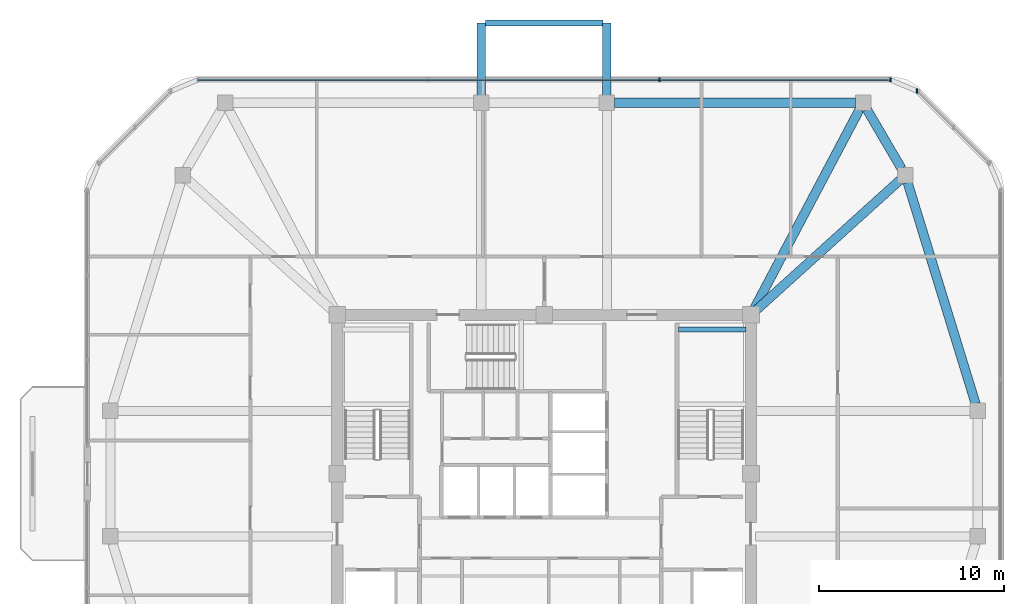
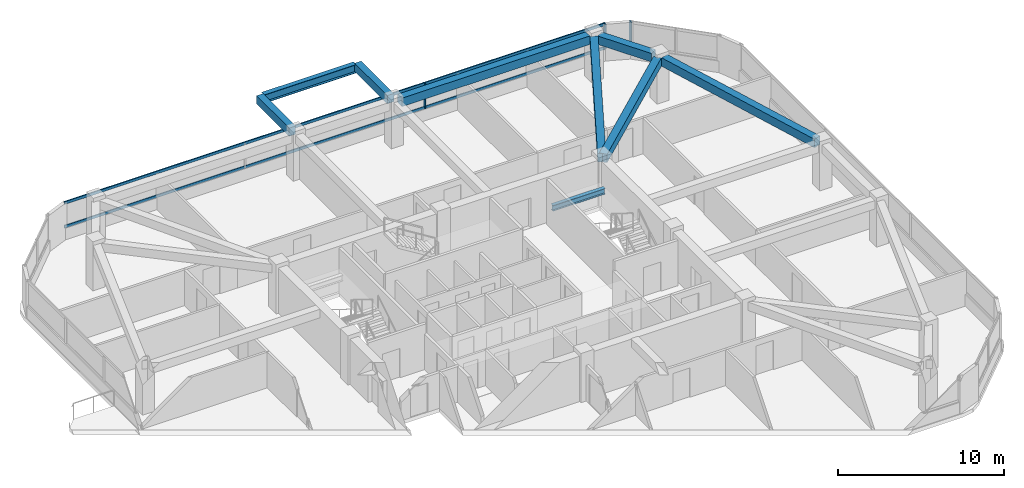
# One storey, part 5 of 13: 9 beams, 5 members, 2 elements without a shape of their own.
"""IFC4 building model written with IfcOpenShell, lengths in metres."""

from ifc_helpers import new_model, si_unit, derived_unit, direction, frame, origin, origin_2d, place, context, subcontext, project, spatial, rectangle, i_section, extrude, material, material_profile, profile_set, type_object, element, aggregate, save


model = new_model("IFC4")

# Units and contexts
model_context = context("Model", 3, precision=1e-05, world=origin(), true_north=direction((0.0, 1.0)))
body_context = subcontext(model_context, "Body", "Model", "MODEL_VIEW")
ifc_project = project(units=[si_unit("LENGTHUNIT", "METRE"), si_unit("AREAUNIT", "SQUARE_METRE"), si_unit("VOLUMEUNIT", "CUBIC_METRE"), si_unit("PLANEANGLEUNIT", "RADIAN"), si_unit("MASSUNIT", "GRAM", prefix="KILO"), derived_unit("THERMALTRANSMITTANCEUNIT", [(si_unit("POWERUNIT", "WATT"), 1), (si_unit("LENGTHUNIT", "METRE"), -2), (si_unit("THERMODYNAMICTEMPERATUREUNIT", "KELVIN"), -1)])], contexts=[model_context])

# Site, building, storey
site_placement = place(None, origin())
site = spatial("IfcSite", under=ifc_project, at=site_placement, CompositionType="ELEMENT")
building_placement = place(site_placement, origin())
building = spatial("IfcBuilding", under=site, at=building_placement, Name="Koralith Skygarden Medical Center", CompositionType="ELEMENT")
storey_placement = place(building_placement, frame((0.0, 0.0, 250.02001953125)))
storey = spatial("IfcBuildingStorey", under=building, at=storey_placement, Name="L64", CompositionType="ELEMENT", Elevation=250.02001953125)

# Curtain wall, member
ifc_material_1 = material(Name="Clear Laminated Glass", Category="glass")
curtain_wall_type = type_object("IfcCurtainWallType", Name="CW-6 Zone 5 Upper Clinical Curtain Wall", PredefinedType="NOTDEFINED", material=ifc_material_1)
curtain_wall_1_placement = place(storey_placement, origin())
curtain_wall_1 = element("IfcCurtainWall", 1, at=curtain_wall_1_placement, inside=storey, type_object=curtain_wall_type, Name="Curtain Wall CW-L64-NE", PredefinedType="NOTDEFINED")
ifc_material_2 = material(Name="Aluminium 6063-T6", Category="aluminium")
ifc_material_profile_1 = material_profile(ifc_material_2, rectangle(XDim=0.0830078125, YDim=0.219970703125, at=origin_2d()), Name="MUL83X220")
ifc_profile_set_1 = profile_set([ifc_material_profile_1], Name="Aluminium 6063-T6")
member_type_1 = type_object("IfcMemberType", Name="CW-6 Extruded Mullion 83x220", PredefinedType="MULLION", material=ifc_profile_set_1)
member_1_placement = place(storey_placement, frame((57.196044921875, 46.618896484375, 0.85009765625), z_axis=(0.0, 0.0, 1.0), x_axis=(1.0, 0.0, 0.0)))
member_1 = element("IfcMember", 2, at=member_1_placement, type_object=member_type_1, Name="CW-L64-NE Mullion 3", PredefinedType="MULLION", context=body_context, shape_type="SweptSolid", body=[
    extrude(rectangle(XDim=0.0830078125, YDim=0.219970703125, at=origin_2d()), origin(), (0.0, 0.0, 1.0), 1.83984375),
])
aggregate(curtain_wall_1, [member_1])

# Curtain wall, members
curtain_wall_2_placement = place(storey_placement, origin())
curtain_wall_2 = element("IfcCurtainWall", 3, at=curtain_wall_2_placement, inside=storey, type_object=curtain_wall_type, Name="Curtain Wall CW-L64-N", PredefinedType="NOTDEFINED")
member_2_placement = place(storey_placement, frame((55.7451171875, 47.219970703125, 0.85009765625), z_axis=(0.0, 0.0, 1.0), x_axis=(1.0, 0.0, 0.0)))
member_2 = element("IfcMember", 4, at=member_2_placement, type_object=member_type_1, Name="CW-L64-N Mullion 1", PredefinedType="MULLION", context=body_context, shape_type="SweptSolid", body=[
    extrude(rectangle(XDim=0.0830078125, YDim=0.219970703125, at=origin_2d()), origin(), (0.0, 0.0, 1.0), 1.83984375),
])
member_3_placement = place(storey_placement, frame((43.248046875, 47.219970703125, 0.85009765625), z_axis=(0.0, 0.0, 1.0), x_axis=(1.0, 0.0, 0.0)))
member_3 = element("IfcMember", 5, at=member_3_placement, type_object=member_type_1, Name="CW-L64-N Mullion 2", PredefinedType="MULLION", context=body_context, shape_type="SweptSolid", body=[
    extrude(rectangle(XDim=0.0830078125, YDim=0.219970703125, at=origin_2d()), origin(), (0.0, 0.0, 1.0), 1.83984375),
])
ifc_material_profile_2 = material_profile(ifc_material_2, rectangle(XDim=0.077880859375, YDim=0.197998046875, at=origin_2d()), Name="TRN78X198")
ifc_profile_set_2 = profile_set([ifc_material_profile_2], Name="Aluminium 6063-T6")
member_type_2 = type_object("IfcMemberType", Name="CW-6 Thermal Transom 78x198", PredefinedType="USERDEFINED", material=ifc_profile_set_2)
member_4_placement = place(storey_placement, frame((55.7451171875, 47.219970703125, 0.89990234375), z_axis=(-1.0, 0.0, 0.0), x_axis=(0.0, -1.0, 0.0)))
member_4 = element("IfcMember", 6, at=member_4_placement, type_object=member_type_2, Name="CW-L64-N Transom 1", ObjectType="TRANSOM", PredefinedType="USERDEFINED", context=body_context, shape_type="SweptSolid", body=[
    extrude(rectangle(XDim=0.077880859375, YDim=0.197998046875, at=origin_2d()), origin(), (0.0, 0.0, 1.0), 37.490234375),
])
member_5_placement = place(storey_placement, frame((55.7451171875, 47.219970703125, 2.639892578125), z_axis=(-1.0, 0.0, 0.0), x_axis=(0.0, -1.0, 0.0)))
member_5 = element("IfcMember", 7, at=member_5_placement, type_object=member_type_2, Name="CW-L64-N Transom 2", ObjectType="TRANSOM", PredefinedType="USERDEFINED", context=body_context, shape_type="SweptSolid", body=[
    extrude(rectangle(XDim=0.077880859375, YDim=0.197998046875, at=origin_2d()), origin(), (0.0, 0.0, 1.0), 37.490234375),
])
aggregate(curtain_wall_2, [member_2, member_3, member_4, member_5])

# Beams
ifc_material_3 = material(Name="Steel ASTM A992 Grade 50", Category="steel")
ifc_material_profile_3 = material_profile(ifc_material_3, i_section(OverallWidth=0.326904296875, OverallDepth=0.6220703125, WebThickness=0.015380859375, FlangeThickness=0.0244140625, at=origin_2d()), Name="W24X131")
ifc_profile_set_3 = profile_set([ifc_material_profile_3], Name="Steel ASTM A992 Grade 50")
beam_type_1 = type_object("IfcBeamType", Name="Cantilever Tie Beam W24X131", PredefinedType="BEAM", material=ifc_profile_set_3)
beam_1_placement = place(storey_placement, frame((33.820068359375, 50.300048828125, 3.029052734375), z_axis=(1.0, 0.0, 0.0), x_axis=(0.0, 1.0, 0.0)))
element("IfcBeam", 8, at=beam_1_placement, inside=storey, type_object=beam_type_1, Name="L65 N Balcony Tip Tie Beam", PredefinedType="BEAM", context=body_context, shape_type="SweptSolid", body=[
    extrude(i_section(OverallWidth=0.326904296875, OverallDepth=0.6220703125, WebThickness=0.015380859375, FlangeThickness=0.0244140625, at=origin_2d()), origin(), (0.0, 0.0, 1.0), 6.35986328125),
])
ifc_material_profile_4 = material_profile(ifc_material_3, i_section(OverallWidth=0.260009765625, OverallDepth=0.4150390625, WebThickness=0.010009765625, FlangeThickness=0.016845703125, at=origin_2d()), Name="W16X67")
ifc_profile_set_4 = profile_set([ifc_material_profile_4], Name="Steel ASTM A992 Grade 50")
beam_type_2 = type_object("IfcBeamType", Name="Clinical Floor Joist W16X67", PredefinedType="JOIST", material=ifc_profile_set_4)
beam_2_placement = place(storey_placement, frame((44.280029296875, 33.699951171875, 1.39208984375), z_axis=(1.0, 0.0, 0.0), x_axis=(0.0, 1.0, 0.0)))
element("IfcBeam", 9, at=beam_2_placement, inside=storey, type_object=beam_type_2, Name="L64 Stair ST2 Half-Landing Support Beam 1B", PredefinedType="JOIST", context=body_context, shape_type="SweptSolid", body=[
    extrude(i_section(OverallWidth=0.260009765625, OverallDepth=0.4150390625, WebThickness=0.010009765625, FlangeThickness=0.016845703125, at=origin_2d()), origin(), (0.0, 0.0, 1.0), 3.639892578125),
])
ifc_material_4 = material(Name="Concrete C45/55", Category="concrete")
ifc_material_profile_5 = material_profile(ifc_material_4, rectangle(XDim=0.449951171875, YDim=0.60009765625, at=origin_2d()), Name="RCB450X600")
ifc_profile_set_5 = profile_set([ifc_material_profile_5], Name="Concrete C45/55")
beam_type_3 = type_object("IfcBeamType", Name="Planted Balcony Cantilever Beam RCB450X600", PredefinedType="BEAM", material=ifc_profile_set_5)
for number, where, z_axis, x_axis, name in (
    (10, (33.60009765625, 46.3798828125, 3.0400390625), (0.0, 1.0, 0.0), (-1.0, 0.0, 0.0), "L65 N Balcony Cantilever Beam A"),
    (11, (40.39990234375, 46.3798828125, 3.0400390625), (0.0, 1.0, 0.0), (-1.0, 0.0, 0.0), "L65 N Balcony Cantilever Beam B"),
):
    element("IfcBeam", number, at=place(storey_placement, frame(where, z_axis=z_axis, x_axis=x_axis)), inside=storey, type_object=beam_type_3, Name=name, PredefinedType="BEAM", context=body_context, shape_type="SweptSolid", body=[
        extrude(rectangle(XDim=0.449951171875, YDim=0.60009765625, at=origin_2d()), origin(), (0.0, 0.0, 1.0), 3.920166015625),
    ])
ifc_material_profile_6 = material_profile(ifc_material_4, rectangle(XDim=0.5, YDim=0.6201171875, at=origin_2d()), Name="RCB500X620")
ifc_profile_set_6 = profile_set([ifc_material_profile_6], Name="Concrete C45/55")
beam_type_4 = type_object("IfcBeamType", Name="Upper Radial Collector Beam RCB500X620", PredefinedType="BEAM", material=ifc_profile_set_6)
beam_3_placement = place(storey_placement, frame((48.385009765625, 34.66796875, 3.010009765625), z_axis=(0.741747768548, 0.670678945438, 0.0), x_axis=(-0.670678945438, 0.741747768548, 0.0)))
element("IfcBeam", 12, at=beam_3_placement, inside=storey, type_object=beam_type_4, Name="L64 Radial Collector Beam RB-10", PredefinedType="BEAM", context=body_context, shape_type="SweptSolid", body=[
    extrude(rectangle(XDim=0.5, YDim=0.6201171875, at=origin_2d()), origin(), (0.0, 0.0, 1.0), 10.611572265625),
])
beam_4_placement = place(storey_placement, frame((48.31689453125, 34.720947265625, 3.010009765625), z_axis=(0.467256895772, 0.884121594213, 0.0), x_axis=(-0.884121594213, 0.467256895772, 0.0)))
element("IfcBeam", 13, at=beam_4_placement, inside=storey, type_object=beam_type_4, Name="L64 Radial Collector Beam RB-11", PredefinedType="BEAM", context=body_context, shape_type="SweptSolid", body=[
    extrude(rectangle(XDim=0.5, YDim=0.6201171875, at=origin_2d()), origin(), (0.0, 0.0, 1.0), 12.3251953125),
])
ifc_material_profile_7 = material_profile(ifc_material_4, rectangle(XDim=0.5, YDim=0.6201171875, at=origin_2d()), Name="RCB500X620")
ifc_profile_set_7 = profile_set([ifc_material_profile_7], Name="Concrete C45/55")
beam_type_5 = type_object("IfcBeamType", Name="Zone 4-5 Spandrel Beam RCB500X620", PredefinedType="SPANDREL", material=ifc_profile_set_7)
beam_5_placement = place(storey_placement, frame((60.360107421875, 29.69189453125, 3.010009765625), z_axis=(-0.293738023424, 0.955885962652, 0.0), x_axis=(-0.955885962652, -0.293738023424, 0.0)))
element("IfcBeam", 14, at=beam_5_placement, inside=storey, type_object=beam_type_5, Name="L64 Perimeter Spandrel Beam SP-09", PredefinedType="SPANDREL", context=body_context, shape_type="SweptSolid", body=[
    extrude(rectangle(XDim=0.5, YDim=0.6201171875, at=origin_2d()), origin(), (0.0, 0.0, 1.0), 12.52880859375),
])
beam_6_placement = place(storey_placement, frame((56.35302734375, 42.4140625, 3.010009765625), z_axis=(-0.50473571007, 0.863273921175, 0.0), x_axis=(-0.863273921175, -0.50473571007, 0.0)))
element("IfcBeam", 15, at=beam_6_placement, inside=storey, type_object=beam_type_5, Name="L64 Perimeter Spandrel Beam SP-10", PredefinedType="SPANDREL", context=body_context, shape_type="SweptSolid", body=[
    extrude(rectangle(XDim=0.5, YDim=0.6201171875, at=origin_2d()), origin(), (0.0, 0.0, 1.0), 3.720703125),
])
beam_7_placement = place(storey_placement, frame((53.85791015625, 45.97998046875, 3.010009765625), z_axis=(-1.0, 0.0, 0.0), x_axis=(0.0, -1.0, 0.0)))
element("IfcBeam", 16, at=beam_7_placement, inside=storey, type_object=beam_type_5, Name="L64 Perimeter Spandrel Beam SP-11", PredefinedType="SPANDREL", context=body_context, shape_type="SweptSolid", body=[
    extrude(rectangle(XDim=0.5, YDim=0.6201171875, at=origin_2d()), origin(), (0.0, 0.0, 1.0), 13.0478515625),
])

save(model, "model.ifc")
